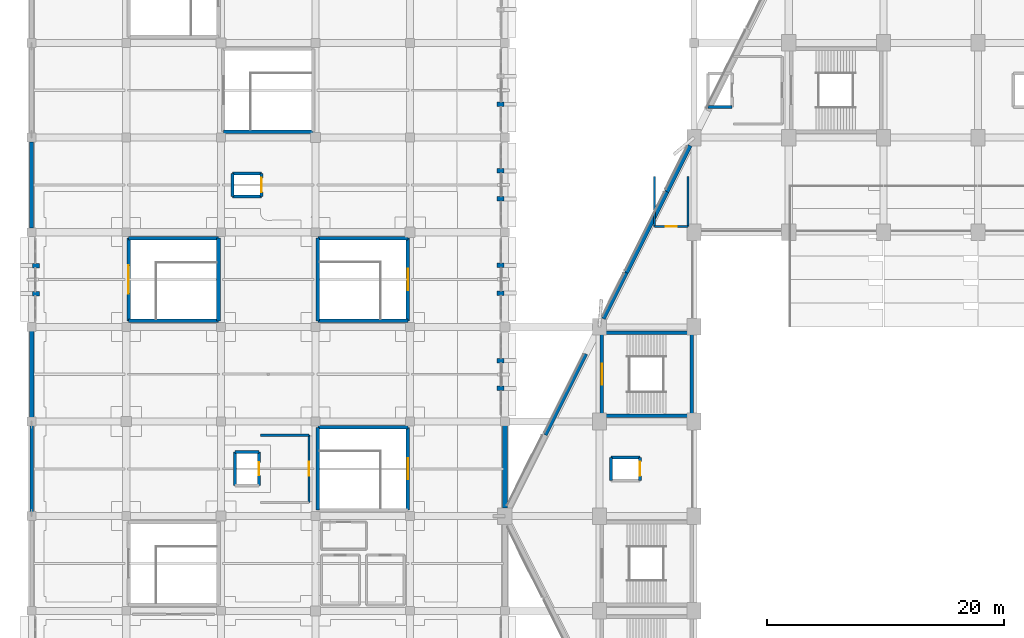
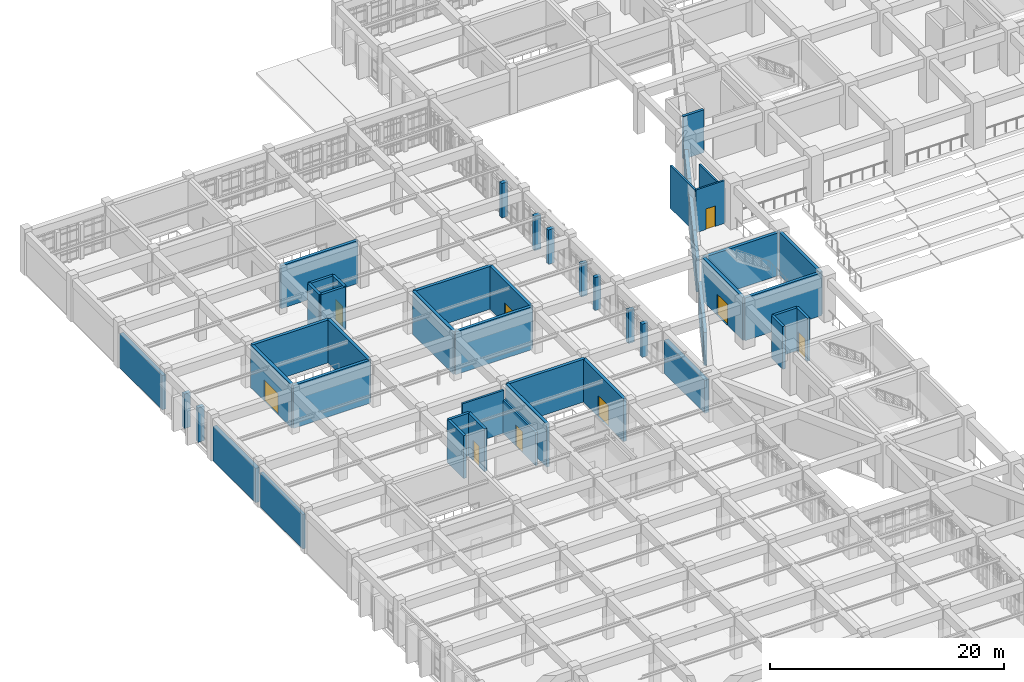
# One storey, part 136 of 155: 49 walls, 9 doors, 9 openings.
"""IFC4 building model written with IfcOpenShell, lengths in metres."""

from ifc_helpers import new_model, si_unit, direction, frame, frame_2d, origin, place, context, subcontext, project, spatial, rectangle, extrude, material, layer, layer_set, type_object, element, fill, save


model = new_model("IFC4")

# Units and contexts
model_context = context("Model", 3, precision=1e-05, world=origin(), true_north=direction((0.0, 1.0)))
body_context = subcontext(model_context, "Body", "Model", "MODEL_VIEW")
ifc_project = project(units=[si_unit("LENGTHUNIT", "METRE"), si_unit("AREAUNIT", "SQUARE_METRE"), si_unit("VOLUMEUNIT", "CUBIC_METRE"), si_unit("PLANEANGLEUNIT", "RADIAN"), si_unit("MASSUNIT", "GRAM", prefix="KILO")], contexts=[model_context])

# Site, building, storey
site_placement = place(None, origin())
site = spatial("IfcSite", under=ifc_project, at=site_placement, CompositionType="ELEMENT")
building_placement = place(site_placement, origin())
building = spatial("IfcBuilding", under=site, at=building_placement, Name="Tazarka Park Arena", CompositionType="ELEMENT")
storey_placement = place(building_placement, frame((0.0, 0.0, 5.39990234375)))
storey = spatial("IfcBuildingStorey", under=building, at=storey_placement, Name="L01", CompositionType="ELEMENT", Elevation=5.39990234375)

# Wall
ifc_material_1 = material(Name="Concrete C40/50", Category="concrete")
ifc_layer_1 = layer(ifc_material_1, 0.300048828125, Name="Concrete C40/50")
ifc_layer_set_1 = layer_set([ifc_layer_1], Name="Concrete C40/50")
wall_type_1 = type_object("IfcWallType", Name="IWAL-CW-S1", PredefinedType="SHEAR", material=ifc_layer_set_1)
wall_1_placement = place(storey_placement, frame((15.800048828125, 80.5, 0.0), z_axis=(0.0, 0.0, 1.0), x_axis=(-1.0, 0.0, 0.0)))
element("IfcWall", 1, at=wall_1_placement, inside=storey, type_object=wall_type_1, Name="SCW-L01-ST02-S", PredefinedType="SHEAR", context=body_context, shape_type="SweptSolid", body=[
    extrude(rectangle(XDim=7.60009765625, YDim=0.300048828125, at=frame_2d((3.800048828125, 0.0))), origin(), (0.0, 0.0, 1.0), 4.47998046875),
])

# Wall, opening, door
wall_2_placement = place(storey_placement, frame((8.199951171875, 80.5, 0.0), z_axis=(0.0, 0.0, 1.0), x_axis=(0.0, 1.0, 0.0)))
wall_2 = element("IfcWall", 2, at=wall_2_placement, inside=storey, type_object=wall_type_1, Name="SCW-L01-ST02-W", PredefinedType="SHEAR", context=body_context, shape_type="SweptSolid", body=[
    extrude(rectangle(XDim=7.0, YDim=0.300048828125, at=frame_2d((3.5, 0.0))), origin(), (0.0, 0.0, 1.0), 4.47998046875),
])
opening_1_placement = place(wall_2_placement, frame((2.300048828125, 0.0, 0.0)))
opening_1 = element("IfcOpeningElement", 3, at=opening_1_placement, cuts=wall_2, Name="Opening ID-05", PredefinedType="OPENING", context=body_context, shape_type="SweptSolid", body=[
    extrude(rectangle(XDim=2.39990234375, YDim=2.199951171875, at=frame_2d((1.199951171875, 1.10009765625))), frame((0.0, 0.16015625, 0.0), z_axis=(0.0, -1.0, 0.0), x_axis=(1.0, 0.0, 0.0)), (0.0, 0.0, 1.0), 0.320068359375),
])
ifc_material_2 = material(Name="Fire-rated powder-coated steel and acoustic timber", Category="steel")
door_type_1 = type_object("IfcDoorType", Name="IDR-ID-05", OperationType="NOTDEFINED", PredefinedType="DOOR", material=ifc_material_2)
door_1_placement = place(opening_1_placement, frame((2.39990234375, 0.0, 0.0), z_axis=(0.0, 0.0, 1.0), x_axis=(-1.0, 0.0, 0.0)))
door_1 = element("IfcDoor", 4, at=door_1_placement, inside=storey, type_object=door_type_1, Name="Exit Stair Door ST02-L01", OperationType="DOUBLE_DOOR_SINGLE_SWING", OverallHeight=2.199951171875, OverallWidth=2.39990234375, PredefinedType="DOOR", context=body_context, shape_type="SweptSolid", body=[
    extrude(rectangle(XDim=2.39990234375, YDim=2.199951171875, at=frame_2d((1.199951171875, 1.10009765625))), frame((0.0, 0.02490234375, 0.0), z_axis=(0.0, -1.0, 0.0), x_axis=(1.0, 0.0, 0.0)), (0.0, 0.0, 1.0), 0.050048828125),
])
fill(opening_1, door_1)

# Walls
wall_3_placement = place(storey_placement, frame((8.199951171875, 87.5, 0.0), z_axis=(0.0, 0.0, 1.0), x_axis=(1.0, 0.0, 0.0)))
element("IfcWall", 5, at=wall_3_placement, inside=storey, type_object=wall_type_1, Name="SCW-L01-ST02-N", PredefinedType="SHEAR", context=body_context, shape_type="SweptSolid", body=[
    extrude(rectangle(XDim=7.60009765625, YDim=0.300048828125, at=frame_2d((3.800048828125, 0.0))), origin(), (0.0, 0.0, 1.0), 4.47998046875),
])
wall_4_placement = place(storey_placement, frame((15.800048828125, 87.5, 0.0), z_axis=(0.0, 0.0, 1.0), x_axis=(0.0, -1.0, 0.0)))
element("IfcWall", 6, at=wall_4_placement, inside=storey, type_object=wall_type_1, Name="SCW-L01-ST02-E", PredefinedType="SHEAR", context=body_context, shape_type="SweptSolid", body=[
    extrude(rectangle(XDim=7.0, YDim=0.300048828125, at=frame_2d((3.5, 0.0))), origin(), (0.0, 0.0, 1.0), 4.47998046875),
])
for number, where, z_axis, x_axis, name in (
    (7, (23.800048828125, 96.5, 0.0), (0.0, 0.0, 1.0), (-1.0, 0.0, 0.0), "SCW-L01-ST03-S"),
    (8, (55.800048828125, 72.5, 0.0), (0.0, 0.0, 1.0), (-1.0, 0.0, 0.0), "SCW-L01-ST20-S"),
):
    element("IfcWall", number, at=place(storey_placement, frame(where, z_axis=z_axis, x_axis=x_axis)), inside=storey, type_object=wall_type_1, Name=name, PredefinedType="SHEAR", context=body_context, shape_type="SweptSolid", body=[
        extrude(rectangle(XDim=7.60009765625, YDim=0.300048828125, at=frame_2d((3.800048828125, 0.0))), origin(), (0.0, 0.0, 1.0), 4.47998046875),
    ])

# Wall, opening, door
wall_5_placement = place(storey_placement, frame((48.199951171875, 72.5, 0.0), z_axis=(0.0, 0.0, 1.0), x_axis=(0.0, 1.0, 0.0)))
wall_5 = element("IfcWall", 9, at=wall_5_placement, inside=storey, type_object=wall_type_1, Name="SCW-L01-ST20-W", PredefinedType="SHEAR", context=body_context, shape_type="SweptSolid", body=[
    extrude(rectangle(XDim=7.0, YDim=0.300048828125, at=frame_2d((3.5, 0.0))), origin(), (0.0, 0.0, 1.0), 4.47998046875),
])
opening_2_placement = place(wall_5_placement, frame((2.60009765625, 0.0, 0.0)))
opening_2 = element("IfcOpeningElement", 10, at=opening_2_placement, cuts=wall_5, Name="Opening ID-04", PredefinedType="OPENING", context=body_context, shape_type="SweptSolid", body=[
    extrude(rectangle(XDim=1.800048828125, YDim=2.199951171875, at=frame_2d((0.89990234375, 1.10009765625))), frame((0.0, 0.16015625, 0.0), z_axis=(0.0, -1.0, 0.0), x_axis=(1.0, 0.0, 0.0)), (0.0, 0.0, 1.0), 0.320068359375),
])
ifc_material_3 = material(Name="Fire-rated powder-coated steel and acoustic timber", Category="steel")
door_type_2 = type_object("IfcDoorType", Name="IDR-ID-04", OperationType="NOTDEFINED", PredefinedType="DOOR", material=ifc_material_3)
door_2_placement = place(opening_2_placement, frame((1.800048828125, 0.0, 0.0), z_axis=(0.0, 0.0, 1.0), x_axis=(-1.0, 0.0, 0.0)))
door_2 = element("IfcDoor", 11, at=door_2_placement, inside=storey, type_object=door_type_2, Name="Vomitory Stair Door ST20-L01", OperationType="DOUBLE_DOOR_SINGLE_SWING", OverallHeight=2.199951171875, OverallWidth=1.800048828125, PredefinedType="DOOR", context=body_context, shape_type="SweptSolid", body=[
    extrude(rectangle(XDim=1.800048828125, YDim=2.199951171875, at=frame_2d((0.89990234375, 1.10009765625))), frame((0.0, 0.02490234375, 0.0), z_axis=(0.0, -1.0, 0.0), x_axis=(1.0, 0.0, 0.0)), (0.0, 0.0, 1.0), 0.050048828125),
])
fill(opening_2, door_2)

# Walls
wall_6_placement = place(storey_placement, frame((48.199951171875, 79.5, 0.0), z_axis=(0.0, 0.0, 1.0), x_axis=(1.0, 0.0, 0.0)))
element("IfcWall", 12, at=wall_6_placement, inside=storey, type_object=wall_type_1, Name="SCW-L01-ST20-N", PredefinedType="SHEAR", context=body_context, shape_type="SweptSolid", body=[
    extrude(rectangle(XDim=7.60009765625, YDim=0.300048828125, at=frame_2d((3.800048828125, 0.0))), origin(), (0.0, 0.0, 1.0), 4.47998046875),
])
for number, where, z_axis, x_axis, name in (
    (13, (55.800048828125, 79.5, 0.0), (0.0, 0.0, 1.0), (0.0, -1.0, 0.0), "SCW-L01-ST20-E"),
    (14, (24.199951171875, 64.5, 0.0), (0.0, 0.0, 1.0), (0.0, 1.0, 0.0), "SCW-L01-ST24-W"),
):
    element("IfcWall", number, at=place(storey_placement, frame(where, z_axis=z_axis, x_axis=x_axis)), inside=storey, type_object=wall_type_1, Name=name, PredefinedType="SHEAR", context=body_context, shape_type="SweptSolid", body=[
        extrude(rectangle(XDim=7.0, YDim=0.300048828125, at=frame_2d((3.5, 0.0))), origin(), (0.0, 0.0, 1.0), 4.47998046875),
    ])
wall_7_placement = place(storey_placement, frame((24.199951171875, 71.5, 0.0), z_axis=(0.0, 0.0, 1.0), x_axis=(1.0, 0.0, 0.0)))
element("IfcWall", 15, at=wall_7_placement, inside=storey, type_object=wall_type_1, Name="SCW-L01-ST24-N", PredefinedType="SHEAR", context=body_context, shape_type="SweptSolid", body=[
    extrude(rectangle(XDim=7.60009765625, YDim=0.300048828125, at=frame_2d((3.800048828125, 0.0))), origin(), (0.0, 0.0, 1.0), 4.47998046875),
])

# Wall, opening, door
wall_8_placement = place(storey_placement, frame((31.800048828125, 71.5, 0.0), z_axis=(0.0, 0.0, 1.0), x_axis=(0.0, -1.0, 0.0)))
wall_8 = element("IfcWall", 16, at=wall_8_placement, inside=storey, type_object=wall_type_1, Name="SCW-L01-ST24-E", PredefinedType="SHEAR", context=body_context, shape_type="SweptSolid", body=[
    extrude(rectangle(XDim=7.0, YDim=0.300048828125, at=frame_2d((3.5, 0.0))), origin(), (0.0, 0.0, 1.0), 4.47998046875),
])
opening_3_placement = place(wall_8_placement, frame((2.60009765625, 0.0, 0.0)))
opening_3 = element("IfcOpeningElement", 17, at=opening_3_placement, cuts=wall_8, Name="Opening ID-04", PredefinedType="OPENING", context=body_context, shape_type="SweptSolid", body=[
    extrude(rectangle(XDim=1.800048828125, YDim=2.199951171875, at=frame_2d((0.89990234375, 1.10009765625))), frame((0.0, 0.16015625, 0.0), z_axis=(0.0, -1.0, 0.0), x_axis=(1.0, 0.0, 0.0)), (0.0, 0.0, 1.0), 0.320068359375),
])
door_3_placement = place(opening_3_placement, frame((1.800048828125, 0.0, 0.0), z_axis=(0.0, 0.0, 1.0), x_axis=(-1.0, 0.0, 0.0)))
door_3 = element("IfcDoor", 18, at=door_3_placement, inside=storey, type_object=door_type_2, Name="Vomitory Stair Door ST24-L01", OperationType="DOUBLE_DOOR_SINGLE_SWING", OverallHeight=2.199951171875, OverallWidth=1.800048828125, PredefinedType="DOOR", context=body_context, shape_type="SweptSolid", body=[
    extrude(rectangle(XDim=1.800048828125, YDim=2.199951171875, at=frame_2d((0.89990234375, 1.10009765625))), frame((0.0, 0.02490234375, 0.0), z_axis=(0.0, -1.0, 0.0), x_axis=(1.0, 0.0, 0.0)), (0.0, 0.0, 1.0), 0.050048828125),
])
fill(opening_3, door_3)

# Walls
wall_9_placement = place(storey_placement, frame((31.800048828125, 80.5, 0.0), z_axis=(0.0, 0.0, 1.0), x_axis=(-1.0, 0.0, 0.0)))
element("IfcWall", 19, at=wall_9_placement, inside=storey, type_object=wall_type_1, Name="SCW-L01-ST26-S", PredefinedType="SHEAR", context=body_context, shape_type="SweptSolid", body=[
    extrude(rectangle(XDim=7.60009765625, YDim=0.300048828125, at=frame_2d((3.800048828125, 0.0))), origin(), (0.0, 0.0, 1.0), 4.47998046875),
])
wall_10_placement = place(storey_placement, frame((24.199951171875, 80.5, 0.0), z_axis=(0.0, 0.0, 1.0), x_axis=(0.0, 1.0, 0.0)))
element("IfcWall", 20, at=wall_10_placement, inside=storey, type_object=wall_type_1, Name="SCW-L01-ST26-W", PredefinedType="SHEAR", context=body_context, shape_type="SweptSolid", body=[
    extrude(rectangle(XDim=7.0, YDim=0.300048828125, at=frame_2d((3.5, 0.0))), origin(), (0.0, 0.0, 1.0), 4.47998046875),
])
wall_11_placement = place(storey_placement, frame((24.199951171875, 87.5, 0.0), z_axis=(0.0, 0.0, 1.0), x_axis=(1.0, 0.0, 0.0)))
element("IfcWall", 21, at=wall_11_placement, inside=storey, type_object=wall_type_1, Name="SCW-L01-ST26-N", PredefinedType="SHEAR", context=body_context, shape_type="SweptSolid", body=[
    extrude(rectangle(XDim=7.60009765625, YDim=0.300048828125, at=frame_2d((3.800048828125, 0.0))), origin(), (0.0, 0.0, 1.0), 4.47998046875),
])

# Wall, opening, door
wall_12_placement = place(storey_placement, frame((31.800048828125, 87.5, 0.0), z_axis=(0.0, 0.0, 1.0), x_axis=(0.0, -1.0, 0.0)))
wall_12 = element("IfcWall", 22, at=wall_12_placement, inside=storey, type_object=wall_type_1, Name="SCW-L01-ST26-E", PredefinedType="SHEAR", context=body_context, shape_type="SweptSolid", body=[
    extrude(rectangle(XDim=7.0, YDim=0.300048828125, at=frame_2d((3.5, 0.0))), origin(), (0.0, 0.0, 1.0), 4.47998046875),
])
opening_4_placement = place(wall_12_placement, frame((2.60009765625, 0.0, 0.0)))
opening_4 = element("IfcOpeningElement", 23, at=opening_4_placement, cuts=wall_12, Name="Opening ID-04", PredefinedType="OPENING", context=body_context, shape_type="SweptSolid", body=[
    extrude(rectangle(XDim=1.800048828125, YDim=2.199951171875, at=frame_2d((0.89990234375, 1.10009765625))), frame((0.0, 0.16015625, 0.0), z_axis=(0.0, -1.0, 0.0), x_axis=(1.0, 0.0, 0.0)), (0.0, 0.0, 1.0), 0.320068359375),
])
door_4_placement = place(opening_4_placement, frame((1.800048828125, 0.0, 0.0), z_axis=(0.0, 0.0, 1.0), x_axis=(-1.0, 0.0, 0.0)))
door_4 = element("IfcDoor", 24, at=door_4_placement, inside=storey, type_object=door_type_2, Name="Vomitory Stair Door ST26-L01", OperationType="DOUBLE_DOOR_SINGLE_SWING", OverallHeight=2.199951171875, OverallWidth=1.800048828125, PredefinedType="DOOR", context=body_context, shape_type="SweptSolid", body=[
    extrude(rectangle(XDim=1.800048828125, YDim=2.199951171875, at=frame_2d((0.89990234375, 1.10009765625))), frame((0.0, 0.02490234375, 0.0), z_axis=(0.0, -1.0, 0.0), x_axis=(1.0, 0.0, 0.0)), (0.0, 0.0, 1.0), 0.050048828125),
])
fill(opening_4, door_4)

# Walls
ifc_material_4 = material(Name="Concrete C40/50", Category="concrete")
ifc_layer_2 = layer(ifc_material_4, 0.260009765625, Name="Concrete C40/50")
ifc_layer_set_2 = layer_set([ifc_layer_2], Name="Concrete C40/50")
wall_type_2 = type_object("IfcWallType", Name="IWAL-CW-S3", PredefinedType="SHEAR", material=ifc_layer_set_2)
wall_13_placement = place(storey_placement, frame((17.179931640625, 66.580078125, 0.0), z_axis=(0.0, 0.0, 1.0), x_axis=(0.0, 1.0, 0.0)))
element("IfcWall", 25, at=wall_13_placement, inside=storey, type_object=wall_type_2, Name="LSW-L01-LF-01-W", PredefinedType="SHEAR", context=body_context, shape_type="SweptSolid", body=[
    extrude(rectangle(XDim=2.83984375, YDim=0.260009765625, at=frame_2d((1.419921875, 0.0))), origin(), (0.0, 0.0, 1.0), 4.47998046875),
])
wall_14_placement = place(storey_placement, frame((17.179931640625, 69.419921875, 0.0), z_axis=(0.0, 0.0, 1.0), x_axis=(1.0, 0.0, 0.0)))
element("IfcWall", 26, at=wall_14_placement, inside=storey, type_object=wall_type_2, Name="LSW-L01-LF-01-N", PredefinedType="SHEAR", context=body_context, shape_type="SweptSolid", body=[
    extrude(rectangle(XDim=2.0400390625, YDim=0.260009765625, at=frame_2d((1.02001953125, 0.0))), origin(), (0.0, 0.0, 1.0), 4.47998046875),
])

# Wall, opening, door
wall_15_placement = place(storey_placement, frame((19.219970703125, 69.419921875, 0.0), z_axis=(0.0, 0.0, 1.0), x_axis=(0.0, -1.0, 0.0)))
wall_15 = element("IfcWall", 27, at=wall_15_placement, inside=storey, type_object=wall_type_2, Name="LSW-L01-LF-01-E", PredefinedType="SHEAR", context=body_context, shape_type="SweptSolid", body=[
    extrude(rectangle(XDim=2.83984375, YDim=0.260009765625, at=frame_2d((1.419921875, 0.0))), origin(), (0.0, 0.0, 1.0), 4.47998046875),
])
opening_5_placement = place(wall_15_placement, frame((0.8701171875, 0.0, 0.0)))
opening_5 = element("IfcOpeningElement", 28, at=opening_5_placement, cuts=wall_15, Name="Opening LD-01", PredefinedType="OPENING", context=body_context, shape_type="SweptSolid", body=[
    extrude(rectangle(XDim=1.10009765625, YDim=2.14990234375, at=frame_2d((0.550048828125, 1.074951171875))), frame((0.0, 0.14013671875, 0.0), z_axis=(0.0, -1.0, 0.0), x_axis=(1.0, 0.0, 0.0)), (0.0, 0.0, 1.0), 0.280029296875),
])
ifc_material_5 = material(Name="Fire-rated powder-coated steel and acoustic timber", Category="steel")
door_type_3 = type_object("IfcDoorType", Name="IDR-LD-01", OperationType="NOTDEFINED", PredefinedType="DOOR", material=ifc_material_5)
door_5_placement = place(opening_5_placement, origin())
door_5 = element("IfcDoor", 29, at=door_5_placement, inside=storey, type_object=door_type_3, Name="Lift Landing Door LF-01-L01", OperationType="SLIDING_TO_LEFT", OverallHeight=2.14990234375, OverallWidth=1.10009765625, PredefinedType="DOOR", context=body_context, shape_type="SweptSolid", body=[
    extrude(rectangle(XDim=1.10009765625, YDim=2.14990234375, at=frame_2d((0.550048828125, 1.074951171875))), frame((0.0, 0.02490234375, 0.0), z_axis=(0.0, -1.0, 0.0), x_axis=(1.0, 0.0, 0.0)), (0.0, 0.0, 1.0), 0.050048828125),
])
fill(opening_5, door_5)

# Walls
wall_16_placement = place(storey_placement, frame((59.219970703125, 98.580078125, 0.0), z_axis=(0.0, 0.0, 1.0), x_axis=(-1.0, 0.0, 0.0)))
element("IfcWall", 30, at=wall_16_placement, inside=storey, type_object=wall_type_2, Name="LSW-L01-LF-02-S", PredefinedType="SHEAR", context=body_context, shape_type="SweptSolid", body=[
    extrude(rectangle(XDim=2.0400390625, YDim=0.260009765625, at=frame_2d((1.02001953125, 0.0))), origin(), (0.0, 0.0, 1.0), 4.47998046875),
])
wall_17_placement = place(storey_placement, frame((16.97998046875, 91.030029296875, 0.0), z_axis=(0.0, 0.0, 1.0), x_axis=(0.0, 1.0, 0.0)))
element("IfcWall", 31, at=wall_17_placement, inside=storey, type_object=wall_type_2, Name="LSW-L01-LF-06-W", PredefinedType="SHEAR", context=body_context, shape_type="SweptSolid", body=[
    extrude(rectangle(XDim=1.93994140625, YDim=0.260009765625, at=frame_2d((0.969970703125, 0.0))), origin(), (0.0, 0.0, 1.0), 4.47998046875),
])
for number, where, z_axis, x_axis, name in (
    (32, (16.97998046875, 92.969970703125, 0.0), (0.0, 0.0, 1.0), (1.0, 0.0, 0.0), "LSW-L01-LF-06-N"),
    (33, (19.419921875, 91.030029296875, 0.0), (0.0, 0.0, 1.0), (-1.0, 0.0, 0.0), "LSW-L01-LF-06-S"),
):
    element("IfcWall", number, at=place(storey_placement, frame(where, z_axis=z_axis, x_axis=x_axis)), inside=storey, type_object=wall_type_2, Name=name, PredefinedType="SHEAR", context=body_context, shape_type="SweptSolid", body=[
        extrude(rectangle(XDim=2.43994140625, YDim=0.260009765625, at=frame_2d((1.219970703125, 0.0))), origin(), (0.0, 0.0, 1.0), 4.47998046875),
    ])

# Wall, opening, door
wall_18_placement = place(storey_placement, frame((19.419921875, 92.969970703125, 0.0), z_axis=(0.0, 0.0, 1.0), x_axis=(0.0, -1.0, 0.0)))
wall_18 = element("IfcWall", 34, at=wall_18_placement, inside=storey, type_object=wall_type_2, Name="LSW-L01-LF-06-E", PredefinedType="SHEAR", context=body_context, shape_type="SweptSolid", body=[
    extrude(rectangle(XDim=1.93994140625, YDim=0.260009765625, at=frame_2d((0.969970703125, 0.0))), origin(), (0.0, 0.0, 1.0), 4.47998046875),
])
opening_6_placement = place(wall_18_placement, frame((0.3701171875, 0.0, 0.0)))
opening_6 = element("IfcOpeningElement", 35, at=opening_6_placement, cuts=wall_18, Name="Opening LD-02", PredefinedType="OPENING", context=body_context, shape_type="SweptSolid", body=[
    extrude(rectangle(XDim=1.199951171875, YDim=2.14990234375, at=frame_2d((0.60009765625, 1.074951171875))), frame((0.0, 0.14013671875, 0.0), z_axis=(0.0, -1.0, 0.0), x_axis=(1.0, 0.0, 0.0)), (0.0, 0.0, 1.0), 0.280029296875),
])
ifc_material_6 = material(Name="Fire-rated powder-coated steel and acoustic timber", Category="steel")
door_type_4 = type_object("IfcDoorType", Name="IDR-LD-02", OperationType="NOTDEFINED", PredefinedType="DOOR", material=ifc_material_6)
door_6_placement = place(opening_6_placement, origin())
door_6 = element("IfcDoor", 36, at=door_6_placement, inside=storey, type_object=door_type_4, Name="Lift Landing Door LF-06-L01", OperationType="SLIDING_TO_LEFT", OverallHeight=2.14990234375, OverallWidth=1.199951171875, PredefinedType="DOOR", context=body_context, shape_type="SweptSolid", body=[
    extrude(rectangle(XDim=1.199951171875, YDim=2.14990234375, at=frame_2d((0.60009765625, 1.074951171875))), frame((0.0, 0.02490234375, 0.0), z_axis=(0.0, -1.0, 0.0), x_axis=(1.0, 0.0, 0.0)), (0.0, 0.0, 1.0), 0.050048828125),
])
fill(opening_6, door_6)

# Walls
wall_19_placement = place(storey_placement, frame((48.97998046875, 67.030029296875, 0.0), z_axis=(0.0, 0.0, 1.0), x_axis=(0.0, 1.0, 0.0)))
element("IfcWall", 37, at=wall_19_placement, inside=storey, type_object=wall_type_2, Name="LSW-L01-LF-09-W", PredefinedType="SHEAR", context=body_context, shape_type="SweptSolid", body=[
    extrude(rectangle(XDim=1.93994140625, YDim=0.260009765625, at=frame_2d((0.969970703125, 0.0))), origin(), (0.0, 0.0, 1.0), 4.47998046875),
])
wall_20_placement = place(storey_placement, frame((48.97998046875, 68.969970703125, 0.0), z_axis=(0.0, 0.0, 1.0), x_axis=(1.0, 0.0, 0.0)))
element("IfcWall", 38, at=wall_20_placement, inside=storey, type_object=wall_type_2, Name="LSW-L01-LF-09-N", PredefinedType="SHEAR", context=body_context, shape_type="SweptSolid", body=[
    extrude(rectangle(XDim=2.43994140625, YDim=0.260009765625, at=frame_2d((1.219970703125, 0.0))), origin(), (0.0, 0.0, 1.0), 4.47998046875),
])

# Wall, opening, door
wall_21_placement = place(storey_placement, frame((51.419921875, 68.969970703125, 0.0), z_axis=(0.0, 0.0, 1.0), x_axis=(0.0, -1.0, 0.0)))
wall_21 = element("IfcWall", 39, at=wall_21_placement, inside=storey, type_object=wall_type_2, Name="LSW-L01-LF-09-E", PredefinedType="SHEAR", context=body_context, shape_type="SweptSolid", body=[
    extrude(rectangle(XDim=1.93994140625, YDim=0.260009765625, at=frame_2d((0.969970703125, 0.0))), origin(), (0.0, 0.0, 1.0), 4.47998046875),
])
opening_7_placement = place(wall_21_placement, frame((0.3701171875, 0.0, 0.0)))
opening_7 = element("IfcOpeningElement", 40, at=opening_7_placement, cuts=wall_21, Name="Opening LD-02", PredefinedType="OPENING", context=body_context, shape_type="SweptSolid", body=[
    extrude(rectangle(XDim=1.199951171875, YDim=2.14990234375, at=frame_2d((0.60009765625, 1.074951171875))), frame((0.0, 0.14013671875, 0.0), z_axis=(0.0, -1.0, 0.0), x_axis=(1.0, 0.0, 0.0)), (0.0, 0.0, 1.0), 0.280029296875),
])
door_7_placement = place(opening_7_placement, origin())
door_7 = element("IfcDoor", 41, at=door_7_placement, inside=storey, type_object=door_type_4, Name="Lift Landing Door LF-09-L01", OperationType="SLIDING_TO_LEFT", OverallHeight=2.14990234375, OverallWidth=1.199951171875, PredefinedType="DOOR", context=body_context, shape_type="SweptSolid", body=[
    extrude(rectangle(XDim=1.199951171875, YDim=2.14990234375, at=frame_2d((0.60009765625, 1.074951171875))), frame((0.0, 0.02490234375, 0.0), z_axis=(0.0, -1.0, 0.0), x_axis=(1.0, 0.0, 0.0)), (0.0, 0.0, 1.0), 0.050048828125),
])
fill(opening_7, door_7)

# Wall
ifc_material_7 = material(Name="Reinforced masonry compartment wall", Category="masonry")
ifc_layer_3 = layer(ifc_material_7, 0.199951171875, Name="Reinforced masonry compartment wall")
ifc_layer_set_3 = layer_set([ifc_layer_3], Name="Reinforced masonry compartment wall")
wall_type_3 = type_object("IfcWallType", Name="IWAL-PT-04", PredefinedType="PARTITIONING", material=ifc_layer_set_3)
wall_22_placement = place(storey_placement, frame((19.35009765625, 70.85009765625, 0.0), z_axis=(0.0, 0.0, 1.0), x_axis=(1.0, 0.0, 0.0)))
element("IfcWall", 42, at=wall_22_placement, inside=storey, type_object=wall_type_3, Name="FFW-L01-LF-01-N", PredefinedType="PARTITIONING", context=body_context, shape_type="SweptSolid", body=[
    extrude(rectangle(XDim=4.099853515625, YDim=0.199951171875, at=frame_2d((2.0498046875, 0.0))), origin(), (0.0, 0.0, 1.0), 4.47998046875),
])

# Wall, opening, door
wall_23_placement = place(storey_placement, frame((23.449951171875, 70.85009765625, 0.0), z_axis=(0.0, 0.0, 1.0), x_axis=(0.0, -1.0, 0.0)))
wall_23 = element("IfcWall", 43, at=wall_23_placement, inside=storey, type_object=wall_type_3, Name="FFW-L01-LF-01-E", PredefinedType="PARTITIONING", context=body_context, shape_type="SweptSolid", body=[
    extrude(rectangle(XDim=5.7001953125, YDim=0.199951171875, at=frame_2d((2.85009765625, 0.0))), origin(), (0.0, 0.0, 1.0), 3.4501953125),
])
opening_8_placement = place(wall_23_placement, frame((2.25, 0.0, 0.0)))
opening_8 = element("IfcOpeningElement", 44, at=opening_8_placement, cuts=wall_23, Name="Opening ID-03", PredefinedType="OPENING", context=body_context, shape_type="SweptSolid", body=[
    extrude(rectangle(XDim=1.199951171875, YDim=2.199951171875, at=frame_2d((0.60009765625, 1.10009765625))), frame((0.0, 0.10986328125, 0.0), z_axis=(0.0, -1.0, 0.0), x_axis=(1.0, 0.0, 0.0)), (0.0, 0.0, 1.0), 0.219970703125),
])
ifc_material_8 = material(Name="Fire-rated powder-coated steel and acoustic timber", Category="steel")
door_type_5 = type_object("IfcDoorType", Name="IDR-ID-03", OperationType="NOTDEFINED", PredefinedType="DOOR", material=ifc_material_8)
door_8_placement = place(opening_8_placement, origin())
door_8 = element("IfcDoor", 45, at=door_8_placement, inside=storey, type_object=door_type_5, Name="Firefighting Lobby Door LF-01-L01", OperationType="SINGLE_SWING_LEFT", OverallHeight=2.199951171875, OverallWidth=1.199951171875, PredefinedType="DOOR", context=body_context, shape_type="SweptSolid", body=[
    extrude(rectangle(XDim=1.199951171875, YDim=2.199951171875, at=frame_2d((0.60009765625, 1.10009765625))), frame((0.0, 0.02490234375, 0.0), z_axis=(0.0, -1.0, 0.0), x_axis=(1.0, 0.0, 0.0)), (0.0, 0.0, 1.0), 0.050048828125),
])
fill(opening_8, door_8)

ifc_material_9 = material(Name="Wet-zone tiled blockwork wall", Category="masonry")
ifc_layer_4 = layer(ifc_material_9, 0.175048828125, Name="Wet-zone tiled blockwork wall")
ifc_layer_set_4 = layer_set([ifc_layer_4], Name="Wet-zone tiled blockwork wall")
wall_type_4 = type_object("IfcWallType", Name="IWAL-PT-18", PredefinedType="PARTITIONING", material=ifc_layer_set_4)
wall_24_placement = place(storey_placement, frame((52.641357421875, 88.5, 0.0), z_axis=(0.0, 0.0, 1.0), x_axis=(1.0, 0.0, 0.0)))
wall_24 = element("IfcWall", 46, at=wall_24_placement, inside=storey, type_object=wall_type_4, Name="WCE-L01-080", PredefinedType="PARTITIONING", context=body_context, shape_type="SweptSolid", body=[
    extrude(rectangle(XDim=2.858642578125, YDim=0.175048828125, at=frame_2d((1.42919921875, 0.0))), origin(), (0.0, 0.0, 1.0), 4.47998046875),
])
opening_9_placement = place(wall_24_placement, frame((0.954345703125, 0.0, 0.0)))
opening_9 = element("IfcOpeningElement", 47, at=opening_9_placement, cuts=wall_24, Name="Opening ID-09", PredefinedType="OPENING", context=body_context, shape_type="SweptSolid", body=[
    extrude(rectangle(XDim=0.949951171875, YDim=2.14990234375, at=frame_2d((0.47509765625, 1.074951171875))), frame((0.0, 0.09765625, 0.0), z_axis=(0.0, -1.0, 0.0), x_axis=(1.0, 0.0, 0.0)), (0.0, 0.0, 1.0), 0.195068359375),
])
ifc_material_10 = material(Name="Fire-rated powder-coated steel and acoustic timber", Category="steel")
door_type_6 = type_object("IfcDoorType", Name="IDR-ID-09", OperationType="NOTDEFINED", PredefinedType="DOOR", material=ifc_material_10)
door_9_placement = place(opening_9_placement, origin())
door_9 = element("IfcDoor", 48, at=door_9_placement, inside=storey, type_object=door_type_6, Name="Room Door Public Female WC North 3", OperationType="SINGLE_SWING_LEFT", OverallHeight=2.14990234375, OverallWidth=0.949951171875, PredefinedType="DOOR", context=body_context, shape_type="SweptSolid", body=[
    extrude(rectangle(XDim=0.949951171875, YDim=2.14990234375, at=frame_2d((0.47509765625, 1.074951171875))), frame((0.0, 0.02490234375, 0.0), z_axis=(0.0, -1.0, 0.0), x_axis=(1.0, 0.0, 0.0)), (0.0, 0.0, 1.0), 0.050048828125),
])
fill(opening_9, door_9)

# Walls
wall_25_placement = place(storey_placement, frame((55.5, 88.5, 0.0), z_axis=(0.0, 0.0, 1.0), x_axis=(0.0, 1.0, 0.0)))
element("IfcWall", 49, at=wall_25_placement, inside=storey, type_object=wall_type_4, Name="WCE-L01-081", PredefinedType="PARTITIONING", context=body_context, shape_type="SweptSolid", body=[
    extrude(rectangle(XDim=4.199951171875, YDim=0.175048828125, at=frame_2d((2.10009765625, 0.0))), origin(), (0.0, 0.0, 1.0), 3.60009765625),
])
wall_26_placement = place(storey_placement, frame((52.641357421875, 92.699951171875, 0.0), z_axis=(0.0, 0.0, 1.0), x_axis=(0.0, -1.0, 0.0)))
element("IfcWall", 50, at=wall_26_placement, inside=storey, type_object=wall_type_4, Name="WCE-L01-082", PredefinedType="PARTITIONING", context=body_context, shape_type="SweptSolid", body=[
    extrude(rectangle(XDim=4.199951171875, YDim=0.175048828125, at=frame_2d((2.10009765625, 0.0))), origin(), (0.0, 0.0, 1.0), 4.47998046875),
])
ifc_material_11 = material(Name="Precast concrete C40/50", Category="concrete")
ifc_layer_5 = layer(ifc_material_11, 0.300048828125, Name="Precast concrete C40/50")
ifc_layer_set_5 = layer_set([ifc_layer_5], Name="Precast concrete C40/50")
wall_type_5 = type_object("IfcWallType", Name="WAL-EW-01", PredefinedType="SOLIDWALL", material=ifc_layer_set_5)
wall_27_placement = place(storey_placement, frame((43.4287109375, 70.857177734375, 0.0), z_axis=(0.0, 0.0, 1.0), x_axis=(0.447200857411, 0.894433559931, 0.0)))
element("IfcWall", 51, at=wall_27_placement, inside=storey, type_object=wall_type_5, Name="EW-L01-0176", PredefinedType="SOLIDWALL", context=body_context, shape_type="SweptSolid", body=[
    extrude(rectangle(XDim=7.66650390625, YDim=0.300048828125, at=frame_2d((3.833251953125, 0.0))), origin(), (0.0, 0.0, 1.0), 3.4501953125),
])
ifc_material_12 = material(Name="Precast concrete C40/50", Category="concrete")
ifc_layer_6 = layer(ifc_material_12, 0.320068359375, Name="Precast concrete C40/50")
ifc_layer_set_6 = layer_set([ifc_layer_6], Name="Precast concrete C40/50")
wall_type_6 = type_object("IfcWallType", Name="WAL-EW-02", PredefinedType="SOLIDWALL", material=ifc_layer_set_6)
wall_28_placement = place(storey_placement, frame((48.340087890625, 80.679931640625, 0.0), z_axis=(0.0, 0.0, 1.0), x_axis=(0.447191148821, 0.894438413987, 0.0)))
element("IfcWall", 52, at=wall_28_placement, inside=storey, type_object=wall_type_6, Name="EW-L01-0177", PredefinedType="SOLIDWALL", context=body_context, shape_type="SweptSolid", body=[
    extrude(rectangle(XDim=4.3505859375, YDim=0.320068359375, at=frame_2d((2.17529296875, 0.0))), origin(), (0.0, 0.0, 1.0), 3.4501953125),
])
ifc_material_13 = material(Name="Concrete C40/50", Category="concrete")
ifc_layer_7 = layer(ifc_material_13, 0.340087890625, Name="Concrete C40/50")
ifc_layer_set_7 = layer_set([ifc_layer_7], Name="Concrete C40/50")
wall_type_7 = type_object("IfcWallType", Name="WAL-EW-03", PredefinedType="SOLIDWALL", material=ifc_layer_set_7)
wall_29_placement = place(storey_placement, frame((50.28564453125, 84.5712890625, 0.0), z_axis=(0.0, 0.0, 1.0), x_axis=(0.4472135955, 0.894427191, 0.0)))
element("IfcWall", 53, at=wall_29_placement, inside=storey, type_object=wall_type_7, Name="EW-L01-0178", PredefinedType="SOLIDWALL", context=body_context, shape_type="SweptSolid", body=[
    extrude(rectangle(XDim=7.666748046875, YDim=0.340087890625, at=frame_2d((3.83349609375, 0.0))), origin(), (0.0, 0.0, 1.0), 3.4501953125),
])
ifc_material_14 = material(Name="Concrete C40/50", Category="concrete")
ifc_layer_8 = layer(ifc_material_14, 0.360107421875, Name="Concrete C40/50")
ifc_layer_set_8 = layer_set([ifc_layer_8], Name="Concrete C40/50")
wall_type_8 = type_object("IfcWallType", Name="WAL-EW-04", PredefinedType="SOLIDWALL", material=ifc_layer_set_8)
wall_30_placement = place(storey_placement, frame((53.71435546875, 91.4287109375, 0.0), z_axis=(0.0, 0.0, 1.0), x_axis=(0.447191148821, 0.894438413987, 0.0)))
element("IfcWall", 54, at=wall_30_placement, inside=storey, type_object=wall_type_8, Name="EW-L01-0179", PredefinedType="SOLIDWALL", context=body_context, shape_type="SweptSolid", body=[
    extrude(rectangle(XDim=4.3505859375, YDim=0.360107421875, at=frame_2d((2.17529296875, 0.0))), origin(), (0.0, 0.0, 1.0), 3.4501953125),
])
wall_31_placement = place(storey_placement, frame((0.0, 88.35498046875, 0.0), z_axis=(0.0, 0.0, 1.0), x_axis=(0.0, 1.0, 0.0)))
element("IfcWall", 55, at=wall_31_placement, inside=storey, type_object=wall_type_8, Name="EW-L01-0195", PredefinedType="SOLIDWALL", context=body_context, shape_type="SweptSolid", body=[
    extrude(rectangle(XDim=7.2900390625, YDim=0.360107421875, at=frame_2d((3.64501953125, 0.0))), origin(), (0.0, 0.0, 1.0), 3.60009765625),
])
ifc_material_15 = material(Name="Concrete C50/60", Category="concrete")
ifc_layer_9 = layer(ifc_material_15, 0.3798828125, Name="Concrete C50/60")
ifc_layer_set_9 = layer_set([ifc_layer_9], Name="Concrete C50/60")
wall_type_9 = type_object("IfcWallType", Name="WAL-EW-05", PredefinedType="SOLIDWALL", material=ifc_layer_set_9)
for number, where, z_axis, x_axis, name in (
    (56, (39.330078125, 77.148193359375, 0.0), (0.0, 0.0, 1.0), (1.0, 0.0, 0.0), "BFP-L01-109-1"),
    (57, (39.330078125, 74.8017578125, 0.0), (0.0, 0.0, 1.0), (1.0, 0.0, 0.0), "BFP-L01-109-2"),
    (58, (39.330078125, 85.1982421875, 0.0), (0.0, 0.0, 1.0), (1.0, 0.0, 0.0), "BFP-L01-112-1"),
    (59, (39.330078125, 82.851806640625, 0.0), (0.0, 0.0, 1.0), (1.0, 0.0, 0.0), "BFP-L01-112-2"),
):
    element("IfcWall", number, at=place(storey_placement, frame(where, z_axis=z_axis, x_axis=x_axis)), inside=storey, type_object=wall_type_9, Name=name, PredefinedType="SOLIDWALL", context=body_context, shape_type="SweptSolid", body=[
        extrude(rectangle(XDim=0.599853515625, YDim=0.3798828125, at=frame_2d((0.2998046875, 0.0))), origin(), (0.0, 0.0, 1.0), 3.4501953125),
    ])
for number, where, z_axis, x_axis, name in (
    (60, (39.330078125, 93.181640625, 0.0), (0.0, 0.0, 1.0), (1.0, 0.0, 0.0), "BFP-L01-115-1"),
    (61, (39.330078125, 90.818359375, 0.0), (0.0, 0.0, 1.0), (1.0, 0.0, 0.0), "BFP-L01-115-2"),
    (62, (39.330078125, 98.818359375, 0.0), (0.0, 0.0, 1.0), (1.0, 0.0, 0.0), "BFP-L01-118-2"),
    (63, (0.669921875, 82.818359375, 0.0), (0.0, 0.0, 1.0), (-1.0, 0.0, 0.0), "BFP-L01-136-1"),
    (64, (0.669921875, 85.181640625, 0.0), (0.0, 0.0, 1.0), (-1.0, 0.0, 0.0), "BFP-L01-136-2"),
):
    element("IfcWall", number, at=place(storey_placement, frame(where, z_axis=z_axis, x_axis=x_axis)), inside=storey, type_object=wall_type_9, Name=name, PredefinedType="SOLIDWALL", context=body_context, shape_type="SweptSolid", body=[
        extrude(rectangle(XDim=0.599853515625, YDim=0.3798828125, at=frame_2d((0.2998046875, 0.0))), origin(), (0.0, 0.0, 1.0), 3.60009765625),
    ])
wall_32_placement = place(storey_placement, frame((0.0, 72.35498046875, 0.0), z_axis=(0.0, 0.0, 1.0), x_axis=(0.0, 1.0, 0.0)))
element("IfcWall", 65, at=wall_32_placement, inside=storey, type_object=wall_type_9, Name="EW-L01-0196", PredefinedType="SOLIDWALL", context=body_context, shape_type="SweptSolid", body=[
    extrude(rectangle(XDim=7.2900390625, YDim=0.3798828125, at=frame_2d((3.64501953125, 0.0))), origin(), (0.0, 0.0, 1.0), 3.60009765625),
])
ifc_material_16 = material(Name="Precast concrete C40/50", Category="concrete")
ifc_layer_10 = layer(ifc_material_16, 0.280029296875, Name="Precast concrete C40/50")
ifc_layer_set_10 = layer_set([ifc_layer_10], Name="Precast concrete C40/50")
wall_type_10 = type_object("IfcWallType", Name="WAL-EW-06", PredefinedType="SOLIDWALL", material=ifc_layer_set_10)
wall_33_placement = place(storey_placement, frame((0.0, 64.35498046875, 0.0), z_axis=(0.0, 0.0, 1.0), x_axis=(0.0, 1.0, 0.0)))
element("IfcWall", 66, at=wall_33_placement, inside=storey, type_object=wall_type_10, Name="EW-L01-0197", PredefinedType="SOLIDWALL", context=body_context, shape_type="SweptSolid", body=[
    extrude(rectangle(XDim=7.2900390625, YDim=0.280029296875, at=frame_2d((3.64501953125, 0.0))), origin(), (0.0, 0.0, 1.0), 3.60009765625),
])
ifc_material_17 = material(Name="Concrete C50/60", Category="concrete")
ifc_layer_11 = layer(ifc_material_17, 0.429931640625, Name="Concrete C50/60")
ifc_layer_set_11 = layer_set([ifc_layer_11], Name="Concrete C50/60")
wall_type_11 = type_object("IfcWallType", Name="WAL-EW-16", PredefinedType="SOLIDWALL", material=ifc_layer_set_11)
wall_34_placement = place(storey_placement, frame((40.0, 71.64501953125, 0.0), z_axis=(0.0, 0.0, 1.0), x_axis=(0.0, -1.0, 0.0)))
element("IfcWall", 67, at=wall_34_placement, inside=storey, type_object=wall_type_11, Name="EW-L01-0191", PredefinedType="SOLIDWALL", context=body_context, shape_type="SweptSolid", body=[
    extrude(rectangle(XDim=6.965087890625, YDim=0.429931640625, at=frame_2d((3.482421875, 0.0))), origin(), (0.0, 0.0, 1.0), 3.4501953125),
])

save(model, "model.ifc")
